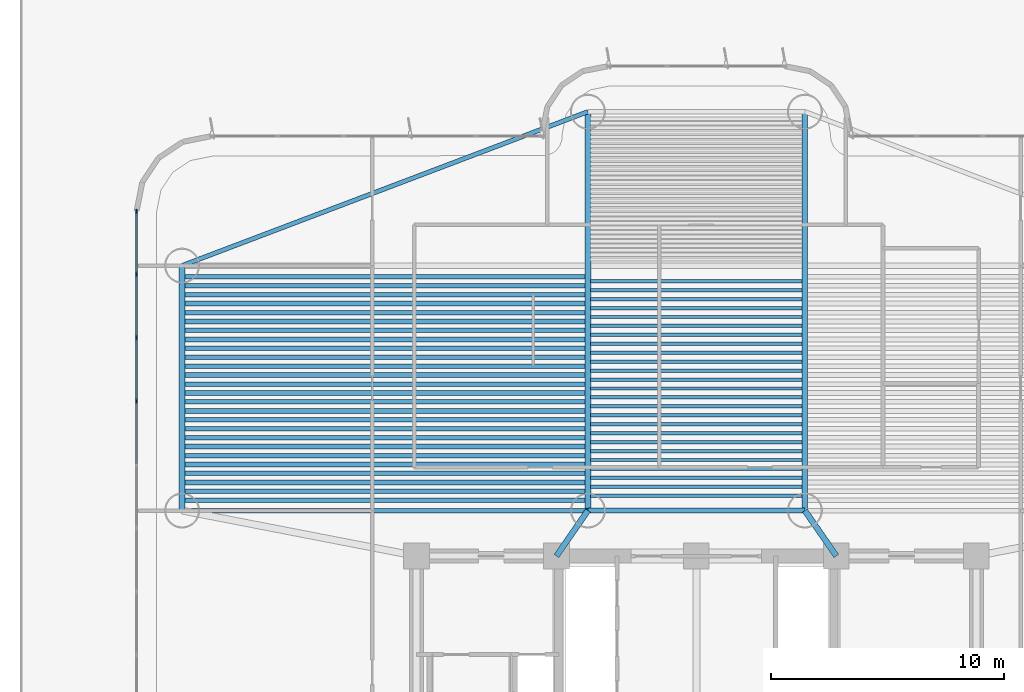
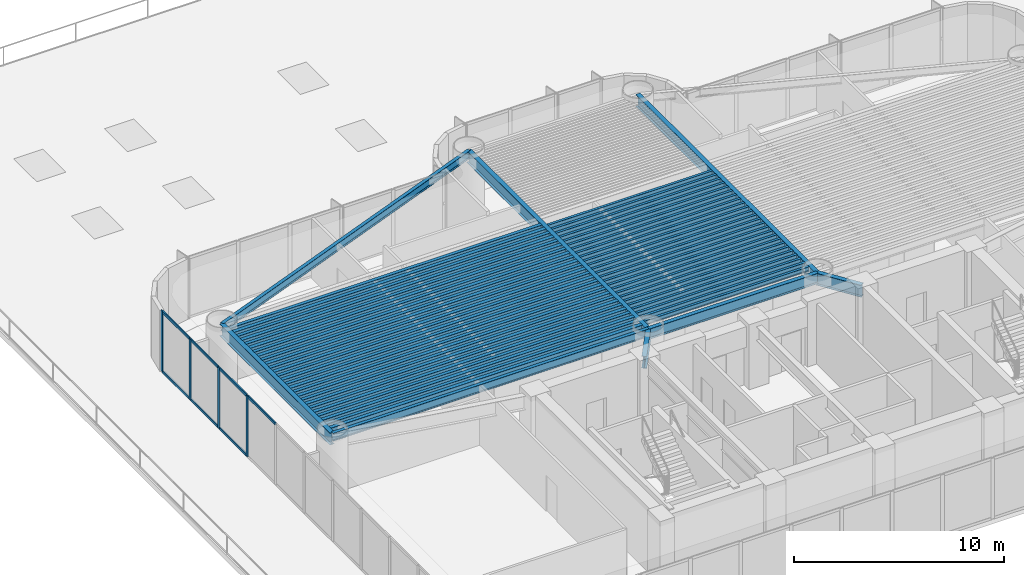
# One storey, part 3 of 17: 59 beams, 11 members, 1 element without a shape of its own.
"""IFC4 building model written with IfcOpenShell, lengths in metres."""

from ifc_helpers import new_model, si_unit, direction, frame, origin, origin_2d, place, context, subcontext, project, spatial, rectangle, i_section, extrude, source, transform, mapped, material, layer, layer_set, material_profile, profile_set, type_object, element, aggregate, save


model = new_model("IFC4")

# Units and contexts
model_context = context("Model", 3, precision=1e-05, world=origin(), true_north=direction((0.0, 1.0)))
body_context = subcontext(model_context, "Body", "Model", "MODEL_VIEW")
ifc_project = project(units=[si_unit("LENGTHUNIT", "METRE"), si_unit("AREAUNIT", "SQUARE_METRE"), si_unit("VOLUMEUNIT", "CUBIC_METRE"), si_unit("PLANEANGLEUNIT", "RADIAN"), si_unit("MASSUNIT", "GRAM", prefix="KILO")], contexts=[model_context])

# Site, building, storey
site_placement = place(None, origin())
site = spatial("IfcSite", under=ifc_project, at=site_placement, CompositionType="ELEMENT")
building_placement = place(site_placement, origin())
building = spatial("IfcBuilding", under=site, at=building_placement, Name="Brelvock Crest Care Tower", CompositionType="ELEMENT")
storey_placement = place(building_placement, frame((0.0, 0.0, 27.0)))
storey = spatial("IfcBuildingStorey", under=building, at=storey_placement, Name="L06", CompositionType="ELEMENT", Elevation=27.0)

# Beams
ifc_material_1 = material(Name="Steel Grade 350", Category="steel")
ifc_material_profile_1 = material_profile(ifc_material_1, i_section(OverallWidth=0.25, OverallDepth=0.699951171875, WebThickness=0.011962890625, FlangeThickness=0.02001953125, at=origin_2d()), Name="700WB150")
ifc_profile_set_1 = profile_set([ifc_material_profile_1], Name="Steel Grade 350")
beam_type_1 = type_object("IfcBeamType", Name="BM-G4", PredefinedType="BEAM", material=ifc_profile_set_1)
shared_shape_1 = source(origin(), body_context, "Body", "SweptSolid", [
    extrude(i_section(OverallWidth=0.25, OverallDepth=0.699951171875, WebThickness=0.011962890625, FlangeThickness=0.02001953125, at=origin_2d()), origin(), (0.0, 0.0, 1.0), 10.5),
])
beam_1_placement = place(storey_placement, frame((13.949951171875, 19.949951171875, 3.179931640625), z_axis=(0.0, 1.0, 0.0), x_axis=(-1.0, 0.0, 0.0)))
element("IfcBeam", 1, at=beam_1_placement, inside=storey, type_object=beam_type_1, Name="BM-TWR-L06-01", PredefinedType="BEAM", context=body_context, shape_type="MappedRepresentation", body=[
    mapped(shared_shape_1, transform((0.0, 0.0, 0.0), x_axis=(1.0, 0.0, 0.0), y_axis=(0.0, 1.0, 0.0), z_axis=(0.0, 0.0, 1.0), scale=1.0)),
])
ifc_material_profile_2 = material_profile(ifc_material_1, i_section(OverallWidth=0.19091796875, OverallDepth=0.4599609375, WebThickness=0.010009765625, FlangeThickness=0.01611328125, FilletRadius=0.011474609375, at=origin_2d()), Name="460UB82.1")
ifc_profile_set_2 = profile_set([ifc_material_profile_2], Name="Steel Grade 350")
beam_type_2 = type_object("IfcBeamType", Name="BM-SP2", PredefinedType="SPANDREL", material=ifc_profile_set_2)
shared_shape_2 = source(origin(), body_context, "Body", "SweptSolid", [
    extrude(i_section(OverallWidth=0.19091796875, OverallDepth=0.4599609375, WebThickness=0.010009765625, FlangeThickness=0.01611328125, FilletRadius=0.011474609375, at=origin_2d()), origin(), (0.0, 0.0, 1.0), 17.400146484375),
])
beam_2_placement = place(storey_placement, frame((13.949951171875, 19.949951171875, 3.300048828125), z_axis=(1.0, 0.0, 0.0), x_axis=(0.0, 1.0, 0.0)))
element("IfcBeam", 2, at=beam_2_placement, inside=storey, type_object=beam_type_2, Name="BM-TWR-L06-03", PredefinedType="SPANDREL", context=body_context, shape_type="MappedRepresentation", body=[
    mapped(shared_shape_2, transform((0.0, 0.0, 0.0), x_axis=(1.0, 0.0, 0.0), y_axis=(0.0, 1.0, 0.0), z_axis=(0.0, 0.0, 1.0), scale=1.0)),
])
ifc_material_profile_3 = material_profile(ifc_material_1, i_section(OverallWidth=0.22900390625, OverallDepth=0.612060546875, WebThickness=0.011962890625, FlangeThickness=0.01953125, FilletRadius=0.013916015625, at=origin_2d()), Name="610UB125")
ifc_profile_set_3 = profile_set([ifc_material_profile_3], Name="Steel Grade 350")
beam_type_3 = type_object("IfcBeamType", Name="BM-G1", PredefinedType="BEAM", material=ifc_profile_set_3)
shared_shape_3 = source(origin(), body_context, "Body", "SweptSolid", [
    extrude(i_section(OverallWidth=0.22900390625, OverallDepth=0.612060546875, WebThickness=0.011962890625, FlangeThickness=0.01953125, FilletRadius=0.013916015625, at=origin_2d()), origin(), (0.0, 0.0, 1.0), 9.2998046875),
])
beam_3_placement = place(storey_placement, frame((31.35009765625, 19.949951171875, 3.22412109375), z_axis=(1.0, 0.0, 0.0), x_axis=(0.0, 1.0, 0.0)))
element("IfcBeam", 3, at=beam_3_placement, inside=storey, type_object=beam_type_3, Name="BM-TWR-L06-05", PredefinedType="BEAM", context=body_context, shape_type="MappedRepresentation", body=[
    mapped(shared_shape_3, transform((0.0, 0.0, 0.0), x_axis=(1.0, 0.0, 0.0), y_axis=(0.0, 1.0, 0.0), z_axis=(0.0, 0.0, 1.0), scale=1.0)),
])
shared_shape_4 = source(origin(), body_context, "Body", "SweptSolid", [
    extrude(i_section(OverallWidth=0.19091796875, OverallDepth=0.4599609375, WebThickness=0.010009765625, FlangeThickness=0.01611328125, FilletRadius=0.011474609375, at=origin_2d()), origin(), (0.0, 0.0, 1.0), 18.60986328125),
])
beam_4_placement = place(storey_placement, frame((13.949951171875, 30.449951171875, 3.300048828125), z_axis=(0.934996776275, 0.3546562115, 0.0), x_axis=(-0.3546562115, 0.934996776275, 0.0)))
element("IfcBeam", 4, at=beam_4_placement, inside=storey, type_object=beam_type_2, Name="BM-TWR-L06-06", PredefinedType="SPANDREL", context=body_context, shape_type="MappedRepresentation", body=[
    mapped(shared_shape_4, transform((0.0, 0.0, 0.0), x_axis=(1.0, 0.0, 0.0), y_axis=(0.0, 1.0, 0.0), z_axis=(0.0, 0.0, 1.0), scale=1.0)),
])
shared_shape_5 = source(origin(), body_context, "Body", "SweptSolid", [
    extrude(i_section(OverallWidth=0.25, OverallDepth=0.699951171875, WebThickness=0.011962890625, FlangeThickness=0.02001953125, at=origin_2d()), origin(), (0.0, 0.0, 1.0), 17.10009765625),
])
for number, where, z_axis, x_axis, name in (
    (5, (31.35009765625, 19.949951171875, 3.179931640625), (0.0, 1.0, 0.0), (-1.0, 0.0, 0.0), "BM-TWR-L06-09"),
    (6, (40.64990234375, 19.949951171875, 3.179931640625), (0.0, 1.0, 0.0), (-1.0, 0.0, 0.0), "BM-TWR-L06-10"),
):
    element("IfcBeam", number, at=place(storey_placement, frame(where, z_axis=z_axis, x_axis=x_axis)), inside=storey, type_object=beam_type_1, Name=name, PredefinedType="BEAM", context=body_context, shape_type="MappedRepresentation", body=[
        mapped(shared_shape_5, transform((0.0, 0.0, 0.0), x_axis=(1.0, 0.0, 0.0), y_axis=(0.0, 1.0, 0.0), z_axis=(0.0, 0.0, 1.0), scale=1.0)),
    ])
shared_shape_6 = source(origin(), body_context, "Body", "SweptSolid", [
    extrude(i_section(OverallWidth=0.25, OverallDepth=0.699951171875, WebThickness=0.011962890625, FlangeThickness=0.02001953125, at=origin_2d()), origin(), (0.0, 0.0, 1.0), 2.371826171875),
])
for number, where, z_axis, x_axis, name in (
    (7, (30.0, 18.0, 3.179931640625), (0.569247447691, 0.8221662504, 0.0), (-0.8221662504, 0.569247447691, 0.0), "BM-THRW-L06"),
    (8, (42.0, 18.0, 3.179931640625), (-0.569247447691, 0.8221662504, 0.0), (-0.8221662504, -0.569247447691, 0.0), "BM-THRE-L06"),
):
    element("IfcBeam", number, at=place(storey_placement, frame(where, z_axis=z_axis, x_axis=x_axis)), inside=storey, type_object=beam_type_1, Name=name, PredefinedType="BEAM", context=body_context, shape_type="MappedRepresentation", body=[
        mapped(shared_shape_6, transform((0.0, 0.0, 0.0), x_axis=(1.0, 0.0, 0.0), y_axis=(0.0, 1.0, 0.0), z_axis=(0.0, 0.0, 1.0), scale=1.0)),
    ])
ifc_material_profile_4 = material_profile(ifc_material_1, i_section(OverallWidth=0.208984375, OverallDepth=0.532958984375, WebThickness=0.01025390625, FlangeThickness=0.015625, FilletRadius=0.013916015625, at=origin_2d()), Name="530UB92.4")
ifc_profile_set_4 = profile_set([ifc_material_profile_4], Name="Steel Grade 350")
beam_type_4 = type_object("IfcBeamType", Name="BM-G2", PredefinedType="BEAM", material=ifc_profile_set_4)
shared_shape_7 = source(origin(), body_context, "Body", "SweptSolid", [
    extrude(i_section(OverallWidth=0.208984375, OverallDepth=0.532958984375, WebThickness=0.01025390625, FlangeThickness=0.015625, FilletRadius=0.013916015625, at=origin_2d()), origin(), (0.0, 0.0, 1.0), 17.170166015625),
])
for number, where, z_axis, x_axis, name in (
    (9, (14.06494140625, 20.39111328125, 3.263427734375), (1.0, 0.0, 0.0), (0.0, 1.0, 0.0), "BM-JW-L06-1"),
    (10, (14.06494140625, 21.157470703125, 3.263427734375), (1.0, 0.0, 0.0), (0.0, 1.0, 0.0), "BM-JW-L06-3"),
    (11, (14.06494140625, 21.924072265625, 3.263427734375), (1.0, 0.0, 0.0), (0.0, 1.0, 0.0), "BM-JW-L06-5"),
    (12, (14.06494140625, 22.6904296875, 3.263427734375), (1.0, 0.0, 0.0), (0.0, 1.0, 0.0), "BM-JW-L06-7"),
    (13, (14.06494140625, 23.45703125, 3.263427734375), (1.0, 0.0, 0.0), (0.0, 1.0, 0.0), "BM-JW-L06-9"),
    (14, (14.06494140625, 24.223388671875, 3.263427734375), (1.0, 0.0, 0.0), (0.0, 1.0, 0.0), "BM-JW-L06-11"),
    (15, (14.06494140625, 24.989990234375, 3.263427734375), (1.0, 0.0, 0.0), (0.0, 1.0, 0.0), "BM-JW-L06-13"),
    (16, (14.06494140625, 25.756591796875, 3.263427734375), (1.0, 0.0, 0.0), (0.0, 1.0, 0.0), "BM-JW-L06-15"),
    (17, (14.06494140625, 26.52294921875, 3.263427734375), (1.0, 0.0, 0.0), (0.0, 1.0, 0.0), "BM-JW-L06-17"),
    (18, (14.06494140625, 27.28955078125, 3.263427734375), (1.0, 0.0, 0.0), (0.0, 1.0, 0.0), "BM-JW-L06-19"),
    (19, (14.06494140625, 28.055908203125, 3.263427734375), (1.0, 0.0, 0.0), (0.0, 1.0, 0.0), "BM-JW-L06-21"),
    (20, (14.06494140625, 28.822509765625, 3.263427734375), (1.0, 0.0, 0.0), (0.0, 1.0, 0.0), "BM-JW-L06-23"),
    (21, (14.06494140625, 29.589111328125, 3.263427734375), (1.0, 0.0, 0.0), (0.0, 1.0, 0.0), "BM-JW-L06-25"),
):
    element("IfcBeam", number, at=place(storey_placement, frame(where, z_axis=z_axis, x_axis=x_axis)), inside=storey, type_object=beam_type_4, Name=name, PredefinedType="BEAM", context=body_context, shape_type="MappedRepresentation", body=[
        mapped(shared_shape_7, transform((0.0, 0.0, 0.0), x_axis=(1.0, 0.0, 0.0), y_axis=(0.0, 1.0, 0.0), z_axis=(0.0, 0.0, 1.0), scale=1.0)),
    ])
ifc_material_profile_5 = material_profile(ifc_material_1, i_section(OverallWidth=0.14599609375, OverallDepth=0.256103515625, WebThickness=0.00634765625, FlangeThickness=0.010986328125, FilletRadius=0.0087890625, at=origin_2d()), Name="250UB37.3")
ifc_profile_set_5 = profile_set([ifc_material_profile_5], Name="Steel Grade 350")
beam_type_5 = type_object("IfcBeamType", Name="BM-J3", PredefinedType="JOIST", material=ifc_profile_set_5)
shared_shape_8 = source(origin(), body_context, "Body", "SweptSolid", [
    extrude(i_section(OverallWidth=0.14599609375, OverallDepth=0.256103515625, WebThickness=0.00634765625, FlangeThickness=0.010986328125, FilletRadius=0.0087890625, at=origin_2d()), origin(), (0.0, 0.0, 1.0), 9.06982421875),
])
for number, where, z_axis, x_axis, name in (
    (22, (31.465087890625, 20.58251953125, 3.402099609375), (1.0, 0.0, 0.0), (0.0, 1.0, 0.0), "BM-JH-L06-1"),
    (23, (31.465087890625, 20.9658203125, 3.402099609375), (1.0, 0.0, 0.0), (0.0, 1.0, 0.0), "BM-JH-L06-2"),
    (24, (31.465087890625, 21.34912109375, 3.402099609375), (1.0, 0.0, 0.0), (0.0, 1.0, 0.0), "BM-JH-L06-3"),
    (25, (31.465087890625, 21.732421875, 3.402099609375), (1.0, 0.0, 0.0), (0.0, 1.0, 0.0), "BM-JH-L06-4"),
    (26, (31.465087890625, 22.115478515625, 3.402099609375), (1.0, 0.0, 0.0), (0.0, 1.0, 0.0), "BM-JH-L06-5"),
    (27, (31.465087890625, 22.498779296875, 3.402099609375), (1.0, 0.0, 0.0), (0.0, 1.0, 0.0), "BM-JH-L06-6"),
    (28, (31.465087890625, 22.882080078125, 3.402099609375), (1.0, 0.0, 0.0), (0.0, 1.0, 0.0), "BM-JH-L06-7"),
    (29, (31.465087890625, 23.265380859375, 3.402099609375), (1.0, 0.0, 0.0), (0.0, 1.0, 0.0), "BM-JH-L06-8"),
    (30, (31.465087890625, 23.648681640625, 3.402099609375), (1.0, 0.0, 0.0), (0.0, 1.0, 0.0), "BM-JH-L06-9"),
    (31, (31.465087890625, 24.03173828125, 3.402099609375), (1.0, 0.0, 0.0), (0.0, 1.0, 0.0), "BM-JH-L06-10"),
    (32, (31.465087890625, 24.4150390625, 3.402099609375), (1.0, 0.0, 0.0), (0.0, 1.0, 0.0), "BM-JH-L06-11"),
    (33, (31.465087890625, 24.79833984375, 3.402099609375), (1.0, 0.0, 0.0), (0.0, 1.0, 0.0), "BM-JH-L06-12"),
    (34, (31.465087890625, 25.181640625, 3.402099609375), (1.0, 0.0, 0.0), (0.0, 1.0, 0.0), "BM-JH-L06-13"),
    (35, (31.465087890625, 25.564697265625, 3.402099609375), (1.0, 0.0, 0.0), (0.0, 1.0, 0.0), "BM-JH-L06-14"),
    (36, (31.465087890625, 25.947998046875, 3.402099609375), (1.0, 0.0, 0.0), (0.0, 1.0, 0.0), "BM-JH-L06-15"),
    (37, (31.465087890625, 26.331298828125, 3.402099609375), (1.0, 0.0, 0.0), (0.0, 1.0, 0.0), "BM-JH-L06-16"),
    (38, (31.465087890625, 26.714599609375, 3.402099609375), (1.0, 0.0, 0.0), (0.0, 1.0, 0.0), "BM-JH-L06-17"),
    (39, (31.465087890625, 27.097900390625, 3.402099609375), (1.0, 0.0, 0.0), (0.0, 1.0, 0.0), "BM-JH-L06-18"),
    (40, (31.465087890625, 27.481201171875, 3.402099609375), (1.0, 0.0, 0.0), (0.0, 1.0, 0.0), "BM-JH-L06-19"),
    (41, (31.465087890625, 27.864501953125, 3.402099609375), (1.0, 0.0, 0.0), (0.0, 1.0, 0.0), "BM-JH-L06-20"),
    (42, (31.465087890625, 28.24755859375, 3.402099609375), (1.0, 0.0, 0.0), (0.0, 1.0, 0.0), "BM-JH-L06-21"),
    (43, (31.465087890625, 28.630859375, 3.402099609375), (1.0, 0.0, 0.0), (0.0, 1.0, 0.0), "BM-JH-L06-22"),
    (44, (31.465087890625, 29.01416015625, 3.402099609375), (1.0, 0.0, 0.0), (0.0, 1.0, 0.0), "BM-JH-L06-23"),
    (45, (31.465087890625, 29.397216796875, 3.402099609375), (1.0, 0.0, 0.0), (0.0, 1.0, 0.0), "BM-JH-L06-24"),
    (46, (31.465087890625, 29.780517578125, 3.402099609375), (1.0, 0.0, 0.0), (0.0, 1.0, 0.0), "BM-JH-L06-25"),
):
    element("IfcBeam", number, at=place(storey_placement, frame(where, z_axis=z_axis, x_axis=x_axis)), inside=storey, type_object=beam_type_5, Name=name, PredefinedType="JOIST", context=body_context, shape_type="MappedRepresentation", body=[
        mapped(shared_shape_8, transform((0.0, 0.0, 0.0), x_axis=(1.0, 0.0, 0.0), y_axis=(0.0, 1.0, 0.0), z_axis=(0.0, 0.0, 1.0), scale=1.0)),
    ])
ifc_material_profile_6 = material_profile(ifc_material_1, i_section(OverallWidth=0.19091796875, OverallDepth=0.4599609375, WebThickness=0.010009765625, FlangeThickness=0.01611328125, FilletRadius=0.011474609375, at=origin_2d()), Name="460UB82.1")
ifc_profile_set_6 = profile_set([ifc_material_profile_6], Name="Steel Grade 350")
beam_type_6 = type_object("IfcBeamType", Name="BM-G3", PredefinedType="BEAM", material=ifc_profile_set_6)
shared_shape_9 = source(origin(), body_context, "Body", "SweptSolid", [
    extrude(i_section(OverallWidth=0.19091796875, OverallDepth=0.4599609375, WebThickness=0.010009765625, FlangeThickness=0.01611328125, FilletRadius=0.011474609375, at=origin_2d()), origin(), (0.0, 0.0, 1.0), 17.170166015625),
])
for number, where, z_axis, x_axis, name in (
    (47, (14.06494140625, 20.774169921875, 3.300048828125), (1.0, 0.0, 0.0), (0.0, 1.0, 0.0), "BM-JW-L06-2"),
    (48, (14.06494140625, 21.540771484375, 3.300048828125), (1.0, 0.0, 0.0), (0.0, 1.0, 0.0), "BM-JW-L06-4"),
    (49, (14.06494140625, 22.30712890625, 3.300048828125), (1.0, 0.0, 0.0), (0.0, 1.0, 0.0), "BM-JW-L06-6"),
    (50, (14.06494140625, 23.07373046875, 3.300048828125), (1.0, 0.0, 0.0), (0.0, 1.0, 0.0), "BM-JW-L06-8"),
    (51, (14.06494140625, 23.840087890625, 3.300048828125), (1.0, 0.0, 0.0), (0.0, 1.0, 0.0), "BM-JW-L06-10"),
    (52, (14.06494140625, 24.606689453125, 3.300048828125), (1.0, 0.0, 0.0), (0.0, 1.0, 0.0), "BM-JW-L06-12"),
    (53, (14.06494140625, 25.373291015625, 3.300048828125), (1.0, 0.0, 0.0), (0.0, 1.0, 0.0), "BM-JW-L06-14"),
    (54, (14.06494140625, 26.1396484375, 3.300048828125), (1.0, 0.0, 0.0), (0.0, 1.0, 0.0), "BM-JW-L06-16"),
    (55, (14.06494140625, 26.90625, 3.300048828125), (1.0, 0.0, 0.0), (0.0, 1.0, 0.0), "BM-JW-L06-18"),
    (56, (14.06494140625, 27.6728515625, 3.300048828125), (1.0, 0.0, 0.0), (0.0, 1.0, 0.0), "BM-JW-L06-20"),
    (57, (14.06494140625, 28.439208984375, 3.300048828125), (1.0, 0.0, 0.0), (0.0, 1.0, 0.0), "BM-JW-L06-22"),
    (58, (14.06494140625, 29.205810546875, 3.300048828125), (1.0, 0.0, 0.0), (0.0, 1.0, 0.0), "BM-JW-L06-24"),
    (59, (14.06494140625, 29.97216796875, 3.300048828125), (1.0, 0.0, 0.0), (0.0, 1.0, 0.0), "BM-JW-L06-26"),
):
    element("IfcBeam", number, at=place(storey_placement, frame(where, z_axis=z_axis, x_axis=x_axis)), inside=storey, type_object=beam_type_6, Name=name, PredefinedType="BEAM", context=body_context, shape_type="MappedRepresentation", body=[
        mapped(shared_shape_9, transform((0.0, 0.0, 0.0), x_axis=(1.0, 0.0, 0.0), y_axis=(0.0, 1.0, 0.0), z_axis=(0.0, 0.0, 1.0), scale=1.0)),
    ])

# Curtain wall, members
ifc_material_2 = material(Name="Dark Glass Double Glazed Low-E", Category="glass")
ifc_layer = layer(ifc_material_2, 0.195068359375, Name="CWS-2")
ifc_layer_set = layer_set([ifc_layer], Name="Dark Glass Double Glazed Low-E")
curtain_wall_type = type_object("IfcCurtainWallType", Name="CWS-2", PredefinedType="NOTDEFINED", material=ifc_layer_set)
curtain_wall_placement = place(storey_placement, origin())
curtain_wall = element("IfcCurtainWall", 60, at=curtain_wall_placement, inside=storey, type_object=curtain_wall_type, Name="L06 Curtain Wall E13", PredefinedType="NOTDEFINED")
ifc_material_3 = material(Name="Aluminium 6063-T6", Category="aluminium")
ifc_material_profile_7 = material_profile(ifc_material_3, rectangle(XDim=0.06494140625, YDim=0.199951171875, at=origin_2d()), Name="ALU65x200")
ifc_profile_set_7 = profile_set([ifc_material_profile_7], Name="Aluminium 6063-T6")
member_type_1 = type_object("IfcMemberType", Name="CWM-1", PredefinedType="MULLION", material=ifc_profile_set_7)
shared_shape_10 = source(origin(), body_context, "Body", "SweptSolid", [
    extrude(rectangle(XDim=0.06494140625, YDim=0.199951171875, at=origin_2d()), origin(), (0.0, 0.0, 1.0), 3.530029296875),
])
member_1_placement = place(storey_placement, frame((12.0, 24.639892578125, 0.0), z_axis=(0.0, 0.0, 1.0), x_axis=(-1.0, 0.0, 0.0)))
member_1 = element("IfcMember", 61, at=member_1_placement, type_object=member_type_1, Name="CW-2 mullion 8", PredefinedType="MULLION", context=body_context, shape_type="MappedRepresentation", body=[
    mapped(shared_shape_10, transform((0.0, 0.0, 0.0), x_axis=(1.0, 0.0, 0.0), y_axis=(0.0, 1.0, 0.0), z_axis=(0.0, 0.0, 1.0), scale=1.0)),
])
member_2_placement = place(storey_placement, frame((12.0, 27.360107421875, 0.0), z_axis=(0.0, 0.0, 1.0), x_axis=(-1.0, 0.0, 0.0)))
member_2 = element("IfcMember", 62, at=member_2_placement, type_object=member_type_1, Name="CW-2 mullion 9", PredefinedType="MULLION", context=body_context, shape_type="MappedRepresentation", body=[
    mapped(shared_shape_10, transform((0.0, 0.0, 0.0), x_axis=(1.0, 0.0, 0.0), y_axis=(0.0, 1.0, 0.0), z_axis=(0.0, 0.0, 1.0), scale=1.0)),
])
member_3_placement = place(storey_placement, frame((12.0, 30.080078125, 0.0), z_axis=(0.0, 0.0, 1.0), x_axis=(-1.0, 0.0, 0.0)))
member_3 = element("IfcMember", 63, at=member_3_placement, type_object=member_type_1, Name="CW-2 mullion 10", PredefinedType="MULLION", context=body_context, shape_type="MappedRepresentation", body=[
    mapped(shared_shape_10, transform((0.0, 0.0, 0.0), x_axis=(1.0, 0.0, 0.0), y_axis=(0.0, 1.0, 0.0), z_axis=(0.0, 0.0, 1.0), scale=1.0)),
])
member_4_placement = place(storey_placement, frame((12.0, 32.767578125, 0.0), z_axis=(0.0, 0.0, 1.0), x_axis=(-1.0, 0.0, 0.0)))
member_4 = element("IfcMember", 64, at=member_4_placement, type_object=member_type_1, Name="CW-2 mullion 11", PredefinedType="MULLION", context=body_context, shape_type="MappedRepresentation", body=[
    mapped(shared_shape_10, transform((0.0, 0.0, 0.0), x_axis=(1.0, 0.0, 0.0), y_axis=(0.0, 1.0, 0.0), z_axis=(0.0, 0.0, 1.0), scale=1.0)),
])
ifc_material_profile_8 = material_profile(ifc_material_3, rectangle(XDim=0.06494140625, YDim=0.14990234375, at=origin_2d()), Name="ALU65x150")
ifc_profile_set_8 = profile_set([ifc_material_profile_8], Name="Aluminium 6063-T6")
member_type_2 = type_object("IfcMemberType", Name="CWT-1", PredefinedType="USERDEFINED", material=ifc_profile_set_8)
shared_shape_11 = source(origin(), body_context, "Body", "SweptSolid", [
    extrude(rectangle(XDim=0.06494140625, YDim=0.14990234375, at=origin_2d()), origin(), (0.0, 0.0, 1.0), 2.62255859375),
])
member_5_placement = place(storey_placement, frame((12.0, 30.112548828125, 0.032470703125), z_axis=(0.0, 1.0, 0.0), x_axis=(-1.0, 0.0, 0.0)))
member_5 = element("IfcMember", 65, at=member_5_placement, type_object=member_type_2, Name="CW-2 transom 10.1", ObjectType="TRANSOM", PredefinedType="USERDEFINED", context=body_context, shape_type="MappedRepresentation", body=[
    mapped(shared_shape_11, transform((0.0, 0.0, 0.0), x_axis=(1.0, 0.0, 0.0), y_axis=(0.0, 1.0, 0.0), z_axis=(0.0, 0.0, 1.0), scale=1.0)),
])
member_6_placement = place(storey_placement, frame((12.0, 30.112548828125, 3.49755859375), z_axis=(0.0, 1.0, 0.0), x_axis=(-1.0, 0.0, 0.0)))
member_6 = element("IfcMember", 66, at=member_6_placement, type_object=member_type_2, Name="CW-2 transom 10.2", ObjectType="TRANSOM", PredefinedType="USERDEFINED", context=body_context, shape_type="MappedRepresentation", body=[
    mapped(shared_shape_11, transform((0.0, 0.0, 0.0), x_axis=(1.0, 0.0, 0.0), y_axis=(0.0, 1.0, 0.0), z_axis=(0.0, 0.0, 1.0), scale=1.0)),
])
shared_shape_12 = source(origin(), body_context, "Body", "SweptSolid", [
    extrude(rectangle(XDim=0.06494140625, YDim=0.14990234375, at=origin_2d()), origin(), (0.0, 0.0, 1.0), 2.655029296875),
])
member_7_placement = place(storey_placement, frame((12.0, 21.952392578125, 3.49755859375), z_axis=(0.0, 1.0, 0.0), x_axis=(-1.0, 0.0, 0.0)))
member_7 = element("IfcMember", 67, at=member_7_placement, type_object=member_type_2, Name="CW-2 transom 7.2", ObjectType="TRANSOM", PredefinedType="USERDEFINED", context=body_context, shape_type="MappedRepresentation", body=[
    mapped(shared_shape_12, transform((0.0, 0.0, 0.0), x_axis=(1.0, 0.0, 0.0), y_axis=(0.0, 1.0, 0.0), z_axis=(0.0, 0.0, 1.0), scale=1.0)),
])
member_8_placement = place(storey_placement, frame((12.0, 27.392578125, 0.032470703125), z_axis=(0.0, 1.0, 0.0), x_axis=(-1.0, 0.0, 0.0)))
member_8 = element("IfcMember", 68, at=member_8_placement, type_object=member_type_2, Name="CW-2 transom 9.1", ObjectType="TRANSOM", PredefinedType="USERDEFINED", context=body_context, shape_type="MappedRepresentation", body=[
    mapped(shared_shape_12, transform((0.0, 0.0, 0.0), x_axis=(1.0, 0.0, 0.0), y_axis=(0.0, 1.0, 0.0), z_axis=(0.0, 0.0, 1.0), scale=1.0)),
])
member_9_placement = place(storey_placement, frame((12.0, 27.392578125, 3.49755859375), z_axis=(0.0, 1.0, 0.0), x_axis=(-1.0, 0.0, 0.0)))
member_9 = element("IfcMember", 69, at=member_9_placement, type_object=member_type_2, Name="CW-2 transom 9.2", ObjectType="TRANSOM", PredefinedType="USERDEFINED", context=body_context, shape_type="MappedRepresentation", body=[
    mapped(shared_shape_12, transform((0.0, 0.0, 0.0), x_axis=(1.0, 0.0, 0.0), y_axis=(0.0, 1.0, 0.0), z_axis=(0.0, 0.0, 1.0), scale=1.0)),
])
shared_shape_13 = source(origin(), body_context, "Body", "SweptSolid", [
    extrude(rectangle(XDim=0.06494140625, YDim=0.14990234375, at=origin_2d()), origin(), (0.0, 0.0, 1.0), 2.65478515625),
])
member_10_placement = place(storey_placement, frame((12.0, 24.672607421875, 0.032470703125), z_axis=(0.0, 1.0, 0.0), x_axis=(-1.0, 0.0, 0.0)))
member_10 = element("IfcMember", 70, at=member_10_placement, type_object=member_type_2, Name="CW-2 transom 8.1", ObjectType="TRANSOM", PredefinedType="USERDEFINED", context=body_context, shape_type="MappedRepresentation", body=[
    mapped(shared_shape_13, transform((0.0, 0.0, 0.0), x_axis=(1.0, 0.0, 0.0), y_axis=(0.0, 1.0, 0.0), z_axis=(0.0, 0.0, 1.0), scale=1.0)),
])
member_11_placement = place(storey_placement, frame((12.0, 24.672607421875, 3.49755859375), z_axis=(0.0, 1.0, 0.0), x_axis=(-1.0, 0.0, 0.0)))
member_11 = element("IfcMember", 71, at=member_11_placement, type_object=member_type_2, Name="CW-2 transom 8.2", ObjectType="TRANSOM", PredefinedType="USERDEFINED", context=body_context, shape_type="MappedRepresentation", body=[
    mapped(shared_shape_13, transform((0.0, 0.0, 0.0), x_axis=(1.0, 0.0, 0.0), y_axis=(0.0, 1.0, 0.0), z_axis=(0.0, 0.0, 1.0), scale=1.0)),
])
aggregate(curtain_wall, [member_1, member_2, member_3, member_4, member_7, member_10, member_11, member_8, member_9, member_5, member_6])

save(model, "model.ifc")
